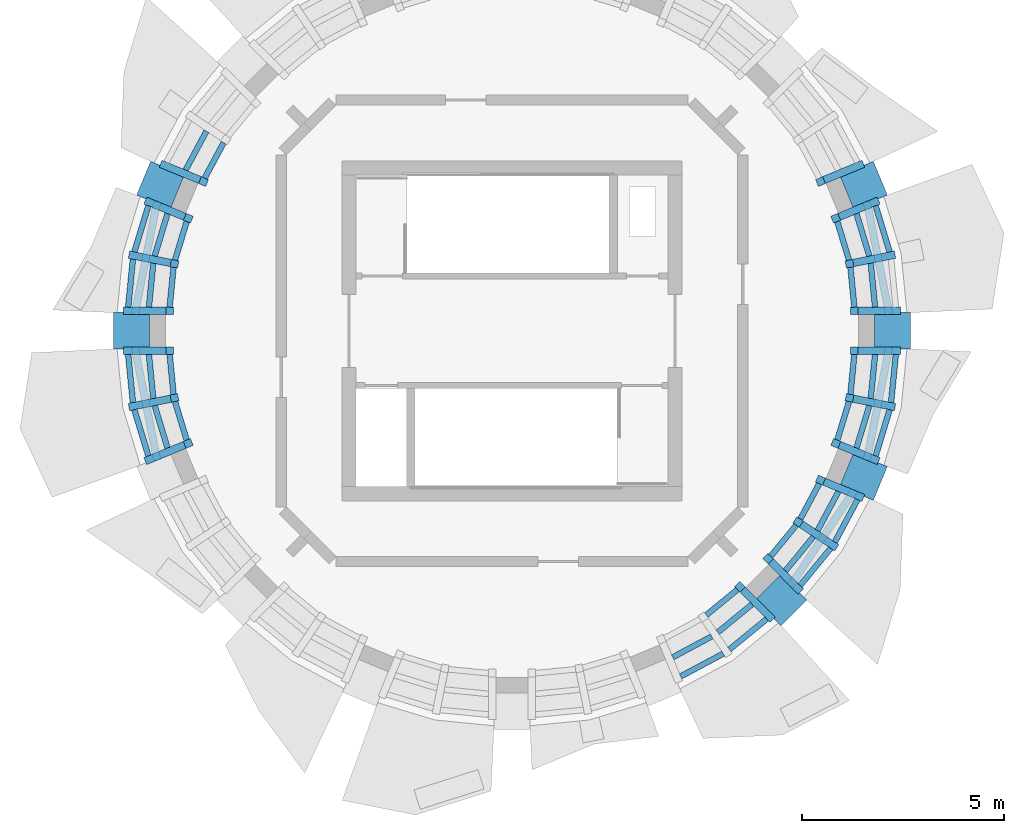
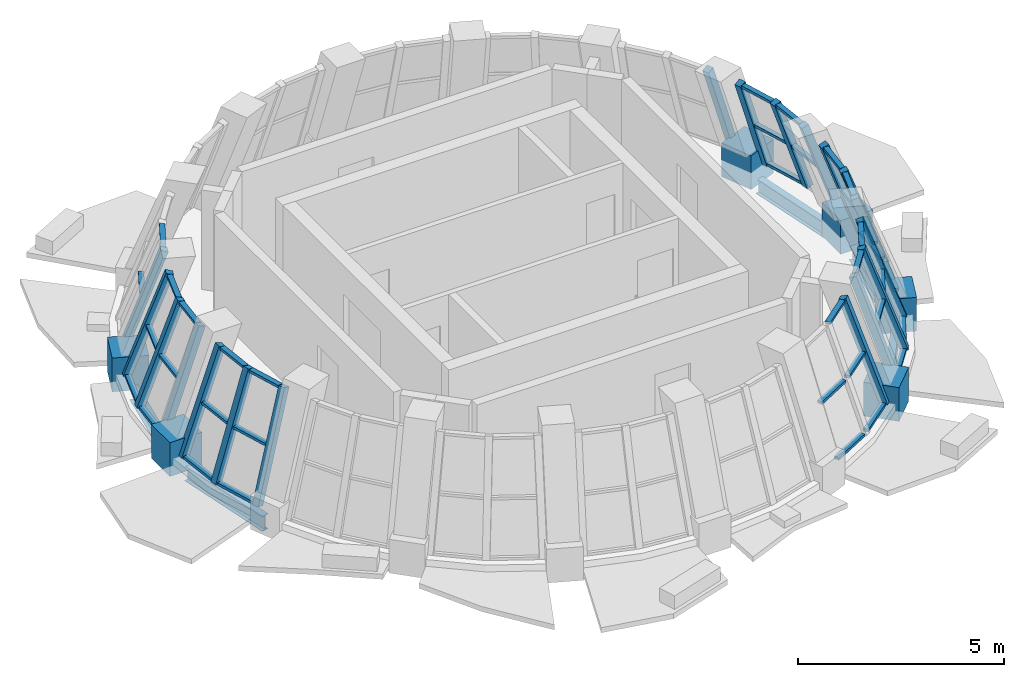
# One storey, part 2 of 8: 60 members, 5 beams, 8 elements without a shape of their own.
"""IFC4 building model written with IfcOpenShell, lengths in metres."""

from ifc_helpers import new_model, si_unit, direction, frame, origin, origin_2d, place, context, subcontext, project, spatial, rectangle, i_section, extrude, material, material_profile, profile_set, type_object, element, aggregate, save


model = new_model("IFC4")

# Units and contexts
model_context = context("Model", 3, precision=1e-05, world=origin(), true_north=direction((0.0, 1.0)))
body_context = subcontext(model_context, "Body", "Model", "MODEL_VIEW")
ifc_project = project(units=[si_unit("LENGTHUNIT", "METRE"), si_unit("AREAUNIT", "SQUARE_METRE"), si_unit("VOLUMEUNIT", "CUBIC_METRE"), si_unit("PLANEANGLEUNIT", "RADIAN"), si_unit("MASSUNIT", "GRAM", prefix="KILO")], contexts=[model_context])

# Site, building, storey
site_placement = place(None, origin())
site = spatial("IfcSite", under=ifc_project, at=site_placement, CompositionType="ELEMENT")
building_placement = place(site_placement, origin())
building = spatial("IfcBuilding", under=site, at=building_placement, Name="Polderwave Tower", CompositionType="ELEMENT")
storey_placement = place(building_placement, frame((0.0, 0.0, 244.39990234375)))
storey = spatial("IfcBuildingStorey", under=building, at=storey_placement, Name="L66", CompositionType="ELEMENT", Elevation=244.39990234375)

# Curtain wall, members
ifc_material_1 = material(Name="Aluminium 6063-T6 and glass", Category="aluminium")
curtain_wall_type = type_object("IfcCurtainWallType", Name="Crown facet glazing wall", PredefinedType="NOTDEFINED", material=ifc_material_1)
curtain_wall_1_placement = place(storey_placement, origin())
curtain_wall_1 = element("IfcCurtainWall", 1, at=curtain_wall_1_placement, inside=storey, type_object=curtain_wall_type, Name="CROWN CW6 L66 00", PredefinedType="NOTDEFINED")
ifc_material_2 = material(Name="Aluminium 6063-T6", Category="aluminium")
ifc_material_profile_1 = material_profile(ifc_material_2, rectangle(XDim=0.18505859375, YDim=0.199951171875, at=origin_2d()), Name="AL 185x200")
ifc_profile_set_1 = profile_set([ifc_material_profile_1], Name="Aluminium 6063-T6")
member_type_1 = type_object("IfcMemberType", Name="Crown facet glazing mullion 185x200", PredefinedType="MULLION", material=ifc_profile_set_1)
member_1_placement = place(storey_placement, frame((9.50390625, 0.4921875, 0.0), z_axis=(-0.335872203123, 0.0, 0.941907566149), x_axis=(0.0, -1.0, 0.0)))
member_1 = element("IfcMember", 2, at=member_1_placement, type_object=member_type_1, Name="CW6 mullion 1", PredefinedType="MULLION", context=body_context, shape_type="SweptSolid", body=[
    extrude(rectangle(XDim=0.18505859375, YDim=0.199951171875, at=origin_2d()), origin(), (0.0, 0.0, 1.0), 3.132080078125),
])
member_2_placement = place(storey_placement, frame((9.368896484375, 1.864013671875, 0.0), z_axis=(-0.329468181575, -0.065784515081, 0.941872132991), x_axis=(0.19580382416, -0.980643086166, 0.0)))
member_2 = element("IfcMember", 3, at=member_2_placement, type_object=member_type_1, Name="CW6 mullion 2", PredefinedType="MULLION", context=body_context, shape_type="SweptSolid", body=[
    extrude(rectangle(XDim=0.18505859375, YDim=0.199951171875, at=origin_2d()), origin(), (0.0, 0.0, 1.0), 3.13232421875),
])
member_3_placement = place(storey_placement, frame((8.968994140625, 3.1826171875, 0.0), z_axis=(-0.310369835021, -0.128684228433, 0.9418656671), x_axis=(0.383000538564, -0.923748119056, 0.0)))
member_3 = element("IfcMember", 4, at=member_3_placement, type_object=member_type_1, Name="CW6 mullion 3", PredefinedType="MULLION", context=body_context, shape_type="SweptSolid", body=[
    extrude(rectangle(XDim=0.18505859375, YDim=0.199951171875, at=origin_2d()), origin(), (0.0, 0.0, 1.0), 3.13232421875),
])

# Curtain wall, member
curtain_wall_2_placement = place(storey_placement, origin())
curtain_wall_2 = element("IfcCurtainWall", 5, at=curtain_wall_2_placement, inside=storey, type_object=curtain_wall_type, Name="CROWN CW6 L66 01", PredefinedType="NOTDEFINED")
member_4_placement = place(storey_placement, frame((8.59228515625, 4.091552734375, 0.0), z_axis=(-0.310299397487, -0.128687341183, 0.941888449944), x_axis=(0.383082628579, -0.923714078966, 0.0)))
member_4 = element("IfcMember", 6, at=member_4_placement, type_object=member_type_1, Name="CW6 mullion 1", PredefinedType="MULLION", context=body_context, shape_type="SweptSolid", body=[
    extrude(rectangle(XDim=0.18505859375, YDim=0.199951171875, at=origin_2d()), origin(), (0.0, 0.0, 1.0), 3.13232421875),
])
aggregate(curtain_wall_2, [member_4])

curtain_wall_3_placement = place(storey_placement, origin())
curtain_wall_3 = element("IfcCurtainWall", 7, at=curtain_wall_3_placement, inside=storey, type_object=curtain_wall_type, Name="CROWN CW6 L66 06", PredefinedType="NOTDEFINED")
member_5_placement = place(storey_placement, frame((-8.59228515625, 4.091552734375, 0.0), z_axis=(0.310299397487, -0.128687341183, 0.941888449944), x_axis=(0.383082628579, 0.923714078966, 0.0)))
member_5 = element("IfcMember", 8, at=member_5_placement, type_object=member_type_1, Name="CW6 mullion 3", PredefinedType="MULLION", context=body_context, shape_type="SweptSolid", body=[
    extrude(rectangle(XDim=0.18505859375, YDim=0.199951171875, at=origin_2d()), origin(), (0.0, 0.0, 1.0), 3.13232421875),
])

# Curtain wall, members
curtain_wall_4_placement = place(storey_placement, origin())
curtain_wall_4 = element("IfcCurtainWall", 9, at=curtain_wall_4_placement, inside=storey, type_object=curtain_wall_type, Name="CROWN CW6 L66 07", PredefinedType="NOTDEFINED")
member_6_placement = place(storey_placement, frame((-8.968994140625, 3.1826171875, 0.0), z_axis=(0.310369835021, -0.128684228433, 0.9418656671), x_axis=(0.383000538564, 0.923748119056, 0.0)))
member_6 = element("IfcMember", 10, at=member_6_placement, type_object=member_type_1, Name="CW6 mullion 1", PredefinedType="MULLION", context=body_context, shape_type="SweptSolid", body=[
    extrude(rectangle(XDim=0.18505859375, YDim=0.199951171875, at=origin_2d()), origin(), (0.0, 0.0, 1.0), 3.13232421875),
])
member_7_placement = place(storey_placement, frame((-9.368896484375, 1.864013671875, 0.0), z_axis=(0.329468181575, -0.065784515081, 0.941872132991), x_axis=(0.19580382416, 0.980643086166, 0.0)))
member_7 = element("IfcMember", 11, at=member_7_placement, type_object=member_type_1, Name="CW6 mullion 2", PredefinedType="MULLION", context=body_context, shape_type="SweptSolid", body=[
    extrude(rectangle(XDim=0.18505859375, YDim=0.199951171875, at=origin_2d()), origin(), (0.0, 0.0, 1.0), 3.13232421875),
])
member_8_placement = place(storey_placement, frame((-9.50390625, 0.4921875, 0.0), z_axis=(0.335872203123, 0.0, 0.941907566149), x_axis=(0.0, 1.0, 0.0)))
member_8 = element("IfcMember", 12, at=member_8_placement, type_object=member_type_1, Name="CW6 mullion 3", PredefinedType="MULLION", context=body_context, shape_type="SweptSolid", body=[
    extrude(rectangle(XDim=0.18505859375, YDim=0.199951171875, at=origin_2d()), origin(), (0.0, 0.0, 1.0), 3.132080078125),
])

curtain_wall_5_placement = place(storey_placement, origin())
curtain_wall_5 = element("IfcCurtainWall", 13, at=curtain_wall_5_placement, inside=storey, type_object=curtain_wall_type, Name="CROWN CW6 L66 08", PredefinedType="NOTDEFINED")
member_9_placement = place(storey_placement, frame((-9.50390625, -0.4921875, 0.0), z_axis=(0.335872203123, 0.0, 0.941907566149), x_axis=(0.0, 1.0, 0.0)))
member_9 = element("IfcMember", 14, at=member_9_placement, type_object=member_type_1, Name="CW6 mullion 1", PredefinedType="MULLION", context=body_context, shape_type="SweptSolid", body=[
    extrude(rectangle(XDim=0.18505859375, YDim=0.199951171875, at=origin_2d()), origin(), (0.0, 0.0, 1.0), 3.132080078125),
])
member_10_placement = place(storey_placement, frame((-9.368896484375, -1.864013671875, 0.0), z_axis=(0.329468181575, 0.065784515081, 0.941872132991), x_axis=(-0.19580382416, 0.980643086166, 0.0)))
member_10 = element("IfcMember", 15, at=member_10_placement, type_object=member_type_1, Name="CW6 mullion 2", PredefinedType="MULLION", context=body_context, shape_type="SweptSolid", body=[
    extrude(rectangle(XDim=0.18505859375, YDim=0.199951171875, at=origin_2d()), origin(), (0.0, 0.0, 1.0), 3.13232421875),
])
member_11_placement = place(storey_placement, frame((-8.968994140625, -3.1826171875, 0.0), z_axis=(0.310369835021, 0.128684228433, 0.9418656671), x_axis=(-0.383000538564, 0.923748119056, 0.0)))
member_11 = element("IfcMember", 16, at=member_11_placement, type_object=member_type_1, Name="CW6 mullion 3", PredefinedType="MULLION", context=body_context, shape_type="SweptSolid", body=[
    extrude(rectangle(XDim=0.18505859375, YDim=0.199951171875, at=origin_2d()), origin(), (0.0, 0.0, 1.0), 3.13232421875),
])

# Curtain wall, member
curtain_wall_6_placement = place(storey_placement, origin())
curtain_wall_6 = element("IfcCurtainWall", 17, at=curtain_wall_6_placement, inside=storey, type_object=curtain_wall_type, Name="CROWN CW6 L66 13", PredefinedType="NOTDEFINED")
member_12_placement = place(storey_placement, frame((6.37255859375, -7.067626953125, 0.0), z_axis=(-0.237576376564, 0.237498431558, 0.941887445668), x_axis=(-0.706990757433, -0.707222785906, 0.0)))
member_12 = element("IfcMember", 18, at=member_12_placement, type_object=member_type_1, Name="CW6 mullion 3", PredefinedType="MULLION", context=body_context, shape_type="SweptSolid", body=[
    extrude(rectangle(XDim=0.18505859375, YDim=0.199951171875, at=origin_2d()), origin(), (0.0, 0.0, 1.0), 3.13232421875),
])

# Curtain wall, members
curtain_wall_7_placement = place(storey_placement, origin())
curtain_wall_7 = element("IfcCurtainWall", 19, at=curtain_wall_7_placement, inside=storey, type_object=curtain_wall_type, Name="CROWN CW6 L66 14", PredefinedType="NOTDEFINED")
member_13_placement = place(storey_placement, frame((7.067626953125, -6.37255859375, 0.0), z_axis=(-0.237498431558, 0.237576376564, 0.941887445668), x_axis=(-0.707222785906, -0.706990757433, 0.0)))
member_13 = element("IfcMember", 20, at=member_13_placement, type_object=member_type_1, Name="CW6 mullion 1", PredefinedType="MULLION", context=body_context, shape_type="SweptSolid", body=[
    extrude(rectangle(XDim=0.18505859375, YDim=0.199951171875, at=origin_2d()), origin(), (0.0, 0.0, 1.0), 3.13232421875),
])
member_14_placement = place(storey_placement, frame((7.94189453125, -5.306884765625, 0.0), z_axis=(-0.279345260731, 0.186749789261, 0.941854947175), x_axis=(-0.555770310415, -0.831335890036, 0.0)))
member_14 = element("IfcMember", 21, at=member_14_placement, type_object=member_type_1, Name="CW6 mullion 2", PredefinedType="MULLION", context=body_context, shape_type="SweptSolid", body=[
    extrude(rectangle(XDim=0.18505859375, YDim=0.199951171875, at=origin_2d()), origin(), (0.0, 0.0, 1.0), 3.13232421875),
])
member_15_placement = place(storey_placement, frame((8.59228515625, -4.091552734375, 0.0), z_axis=(-0.310299397487, 0.128687341183, 0.941888449944), x_axis=(-0.383082628579, -0.923714078966, 0.0)))
member_15 = element("IfcMember", 22, at=member_15_placement, type_object=member_type_1, Name="CW6 mullion 3", PredefinedType="MULLION", context=body_context, shape_type="SweptSolid", body=[
    extrude(rectangle(XDim=0.18505859375, YDim=0.199951171875, at=origin_2d()), origin(), (0.0, 0.0, 1.0), 3.13232421875),
])

curtain_wall_8_placement = place(storey_placement, origin())
curtain_wall_8 = element("IfcCurtainWall", 23, at=curtain_wall_8_placement, inside=storey, type_object=curtain_wall_type, Name="CROWN CW6 L66 15", PredefinedType="NOTDEFINED")
member_16_placement = place(storey_placement, frame((8.968994140625, -3.1826171875, 0.0), z_axis=(-0.310369835021, 0.128684228433, 0.9418656671), x_axis=(-0.383000538564, -0.923748119056, 0.0)))
member_16 = element("IfcMember", 24, at=member_16_placement, type_object=member_type_1, Name="CW6 mullion 1", PredefinedType="MULLION", context=body_context, shape_type="SweptSolid", body=[
    extrude(rectangle(XDim=0.18505859375, YDim=0.199951171875, at=origin_2d()), origin(), (0.0, 0.0, 1.0), 3.13232421875),
])
member_17_placement = place(storey_placement, frame((9.368896484375, -1.864013671875, 0.0), z_axis=(-0.329468181575, 0.065784515081, 0.941872132991), x_axis=(-0.19580382416, -0.980643086166, 0.0)))
member_17 = element("IfcMember", 25, at=member_17_placement, type_object=member_type_1, Name="CW6 mullion 2", PredefinedType="MULLION", context=body_context, shape_type="SweptSolid", body=[
    extrude(rectangle(XDim=0.18505859375, YDim=0.199951171875, at=origin_2d()), origin(), (0.0, 0.0, 1.0), 3.13232421875),
])
member_18_placement = place(storey_placement, frame((9.50390625, -0.4921875, 0.0), z_axis=(-0.335872203123, 0.0, 0.941907566149), x_axis=(0.0, -1.0, 0.0)))
member_18 = element("IfcMember", 26, at=member_18_placement, type_object=member_type_1, Name="CW6 mullion 3", PredefinedType="MULLION", context=body_context, shape_type="SweptSolid", body=[
    extrude(rectangle(XDim=0.18505859375, YDim=0.199951171875, at=origin_2d()), origin(), (0.0, 0.0, 1.0), 3.132080078125),
])

# Member
ifc_material_profile_2 = material_profile(ifc_material_2, rectangle(XDim=0.139892578125, YDim=0.080078125, at=origin_2d()), Name="AL 80x140")
ifc_profile_set_2 = profile_set([ifc_material_profile_2], Name="Aluminium 6063-T6")
member_type_2 = type_object("IfcMemberType", Name="Crown facet glazing transom 80x140", PredefinedType="USERDEFINED", material=ifc_profile_set_2)
member_19_placement = place(storey_placement, frame((8.968994140625, 0.583984375, 1.47509765625), z_axis=(-0.098084608182, 0.99517807936, 0.0), x_axis=(-0.99517807936, -0.098084608182, 0.0)))
member_19 = element("IfcMember", 27, at=member_19_placement, type_object=member_type_2, Name="CW6 transom 2", ObjectType="TRANSOM", PredefinedType="USERDEFINED", context=body_context, shape_type="SweptSolid", body=[
    extrude(rectangle(XDim=0.139892578125, YDim=0.080078125, at=origin_2d()), origin(), (0.0, 0.0, 1.0), 1.09033203125),
])

member_20_placement = place(storey_placement, frame((8.45703125, 0.583984375, 2.91015625), z_axis=(-0.097964393353, 0.995189920385, 0.0), x_axis=(-0.995189920385, -0.097964393353, 0.0)))
member_20 = element("IfcMember", 28, at=member_20_placement, type_object=member_type_2, Name="CW6 transom 3", ObjectType="TRANSOM", PredefinedType="USERDEFINED", context=body_context, shape_type="SweptSolid", body=[
    extrude(rectangle(XDim=0.139892578125, YDim=0.080078125, at=origin_2d()), origin(), (0.0, 0.0, 1.0), 0.9892578125),
])

member_21_placement = place(storey_placement, frame((9.328125, 1.94970703125, 0.0400390625), z_axis=(-0.29050843921, 0.956872429715, 0.0), x_axis=(-0.956872429715, -0.29050843921, 0.0)))
member_21 = element("IfcMember", 29, at=member_21_placement, type_object=member_type_2, Name="CW6 transom 4", ObjectType="TRANSOM", PredefinedType="USERDEFINED", context=body_context, shape_type="SweptSolid", body=[
    extrude(rectangle(XDim=0.139892578125, YDim=0.080078125, at=origin_2d()), origin(), (0.0, 0.0, 1.0), 1.18994140625),
])

member_22_placement = place(storey_placement, frame((8.826171875, 1.849609375, 1.47509765625), z_axis=(-0.290305798508, 0.956933928415, 0.0), x_axis=(-0.956933928415, -0.290305798508, 0.0)))
member_22 = element("IfcMember", 30, at=member_22_placement, type_object=member_type_2, Name="CW6 transom 5", ObjectType="TRANSOM", PredefinedType="USERDEFINED", context=body_context, shape_type="SweptSolid", body=[
    extrude(rectangle(XDim=0.139892578125, YDim=0.080078125, at=origin_2d()), origin(), (0.0, 0.0, 1.0), 1.08984375),
])

member_23_placement = place(storey_placement, frame((8.32421875, 1.749267578125, 2.91015625), z_axis=(-0.290356562479, 0.956918526639, 0.0), x_axis=(-0.956918526639, -0.290356562479, 0.0)))
member_23 = element("IfcMember", 31, at=member_23_placement, type_object=member_type_2, Name="CW6 transom 6", ObjectType="TRANSOM", PredefinedType="USERDEFINED", context=body_context, shape_type="SweptSolid", body=[
    extrude(rectangle(XDim=0.139892578125, YDim=0.080078125, at=origin_2d()), origin(), (0.0, 0.0, 1.0), 0.98974609375),
])

aggregate(curtain_wall_1, [member_1, member_2, member_3, member_19, member_20, member_21, member_22, member_23])

member_24_placement = place(storey_placement, frame((-7.548095703125, 4.932861328125, 1.47509765625), z_axis=(-0.472028770132, -0.881583144217, 0.0), x_axis=(0.881583144217, -0.472028770132, 0.0)))
member_24 = element("IfcMember", 32, at=member_24_placement, type_object=member_type_2, Name="CW6 transom 5", ObjectType="TRANSOM", PredefinedType="USERDEFINED", context=body_context, shape_type="SweptSolid", body=[
    extrude(rectangle(XDim=0.139892578125, YDim=0.080078125, at=origin_2d()), origin(), (0.0, 0.0, 1.0), 1.09033203125),
])

member_25_placement = place(storey_placement, frame((-7.12255859375, 4.6484375, 2.91015625), z_axis=(-0.471995569536, -0.88160092011, 0.0), x_axis=(0.88160092011, -0.471995569536, 0.0)))
member_25 = element("IfcMember", 33, at=member_25_placement, type_object=member_type_2, Name="CW6 transom 6", ObjectType="TRANSOM", PredefinedType="USERDEFINED", context=body_context, shape_type="SweptSolid", body=[
    extrude(rectangle(XDim=0.139892578125, YDim=0.080078125, at=origin_2d()), origin(), (0.0, 0.0, 1.0), 0.989990234375),
])

aggregate(curtain_wall_3, [member_5, member_24, member_25])

member_26_placement = place(storey_placement, frame((-8.982421875, 3.08837890625, 0.0400390625), z_axis=(-0.29050843921, -0.956872429715, 0.0), x_axis=(0.956872429715, -0.29050843921, 0.0)))
member_26 = element("IfcMember", 34, at=member_26_placement, type_object=member_type_2, Name="CW6 transom 1", ObjectType="TRANSOM", PredefinedType="USERDEFINED", context=body_context, shape_type="SweptSolid", body=[
    extrude(rectangle(XDim=0.139892578125, YDim=0.080078125, at=origin_2d()), origin(), (0.0, 0.0, 1.0), 1.18994140625),
])

member_27_placement = place(storey_placement, frame((-8.509765625, 2.892578125, 1.47509765625), z_axis=(-0.290305798508, -0.956933928415, 0.0), x_axis=(0.956933928415, -0.290305798508, 0.0)))
member_27 = element("IfcMember", 35, at=member_27_placement, type_object=member_type_2, Name="CW6 transom 2", ObjectType="TRANSOM", PredefinedType="USERDEFINED", context=body_context, shape_type="SweptSolid", body=[
    extrude(rectangle(XDim=0.139892578125, YDim=0.080078125, at=origin_2d()), origin(), (0.0, 0.0, 1.0), 1.08984375),
])

member_28_placement = place(storey_placement, frame((-8.036865234375, 2.6962890625, 2.91015625), z_axis=(-0.290356562479, -0.956918526639, 0.0), x_axis=(0.956918526639, -0.290356562479, 0.0)))
member_28 = element("IfcMember", 36, at=member_28_placement, type_object=member_type_2, Name="CW6 transom 3", ObjectType="TRANSOM", PredefinedType="USERDEFINED", context=body_context, shape_type="SweptSolid", body=[
    extrude(rectangle(XDim=0.139892578125, YDim=0.080078125, at=origin_2d()), origin(), (0.0, 0.0, 1.0), 0.98974609375),
])

member_29_placement = place(storey_placement, frame((-9.364013671875, 1.769287109375, 0.0400390625), z_axis=(-0.097981458068, -0.995188240422, 0.0), x_axis=(0.995188240422, -0.097981458068, 0.0)))
member_29 = element("IfcMember", 37, at=member_29_placement, type_object=member_type_2, Name="CW6 transom 4", ObjectType="TRANSOM", PredefinedType="USERDEFINED", context=body_context, shape_type="SweptSolid", body=[
    extrude(rectangle(XDim=0.139892578125, YDim=0.080078125, at=origin_2d()), origin(), (0.0, 0.0, 1.0), 1.19091796875),
])

member_30_placement = place(storey_placement, frame((-8.862060546875, 1.6689453125, 1.47509765625), z_axis=(-0.098084608182, -0.99517807936, 0.0), x_axis=(0.99517807936, -0.098084608182, 0.0)))
member_30 = element("IfcMember", 38, at=member_30_placement, type_object=member_type_2, Name="CW6 transom 5", ObjectType="TRANSOM", PredefinedType="USERDEFINED", context=body_context, shape_type="SweptSolid", body=[
    extrude(rectangle(XDim=0.139892578125, YDim=0.080078125, at=origin_2d()), origin(), (0.0, 0.0, 1.0), 1.09033203125),
])

member_31_placement = place(storey_placement, frame((-8.360107421875, 1.568603515625, 2.91015625), z_axis=(-0.097964393353, -0.995189920385, 0.0), x_axis=(0.995189920385, -0.097964393353, 0.0)))
member_31 = element("IfcMember", 39, at=member_31_placement, type_object=member_type_2, Name="CW6 transom 6", ObjectType="TRANSOM", PredefinedType="USERDEFINED", context=body_context, shape_type="SweptSolid", body=[
    extrude(rectangle(XDim=0.139892578125, YDim=0.080078125, at=origin_2d()), origin(), (0.0, 0.0, 1.0), 0.9892578125),
])

aggregate(curtain_wall_4, [member_6, member_7, member_8, member_26, member_27, member_28, member_29, member_30, member_31])

member_32_placement = place(storey_placement, frame((-9.480712890625, -0.583984375, 0.0400390625), z_axis=(0.097981458068, -0.995188240422, 0.0), x_axis=(0.995188240422, 0.097981458068, 0.0)))
member_32 = element("IfcMember", 40, at=member_32_placement, type_object=member_type_2, Name="CW6 transom 1", ObjectType="TRANSOM", PredefinedType="USERDEFINED", context=body_context, shape_type="SweptSolid", body=[
    extrude(rectangle(XDim=0.139892578125, YDim=0.080078125, at=origin_2d()), origin(), (0.0, 0.0, 1.0), 1.19091796875),
])

member_33_placement = place(storey_placement, frame((-8.968994140625, -0.583984375, 1.47509765625), z_axis=(0.098084608182, -0.99517807936, 0.0), x_axis=(0.99517807936, 0.098084608182, 0.0)))
member_33 = element("IfcMember", 41, at=member_33_placement, type_object=member_type_2, Name="CW6 transom 2", ObjectType="TRANSOM", PredefinedType="USERDEFINED", context=body_context, shape_type="SweptSolid", body=[
    extrude(rectangle(XDim=0.139892578125, YDim=0.080078125, at=origin_2d()), origin(), (0.0, 0.0, 1.0), 1.09033203125),
])

member_34_placement = place(storey_placement, frame((-8.45703125, -0.583984375, 2.91015625), z_axis=(0.097964393353, -0.995189920385, 0.0), x_axis=(0.995189920385, 0.097964393353, 0.0)))
member_34 = element("IfcMember", 42, at=member_34_placement, type_object=member_type_2, Name="CW6 transom 3", ObjectType="TRANSOM", PredefinedType="USERDEFINED", context=body_context, shape_type="SweptSolid", body=[
    extrude(rectangle(XDim=0.139892578125, YDim=0.080078125, at=origin_2d()), origin(), (0.0, 0.0, 1.0), 0.9892578125),
])

member_35_placement = place(storey_placement, frame((-9.328125, -1.94970703125, 0.0400390625), z_axis=(0.29050843921, -0.956872429715, 0.0), x_axis=(0.956872429715, 0.29050843921, 0.0)))
member_35 = element("IfcMember", 43, at=member_35_placement, type_object=member_type_2, Name="CW6 transom 4", ObjectType="TRANSOM", PredefinedType="USERDEFINED", context=body_context, shape_type="SweptSolid", body=[
    extrude(rectangle(XDim=0.139892578125, YDim=0.080078125, at=origin_2d()), origin(), (0.0, 0.0, 1.0), 1.18994140625),
])

member_36_placement = place(storey_placement, frame((-8.826171875, -1.849609375, 1.47509765625), z_axis=(0.290305798508, -0.956933928415, 0.0), x_axis=(0.956933928415, 0.290305798508, 0.0)))
member_36 = element("IfcMember", 44, at=member_36_placement, type_object=member_type_2, Name="CW6 transom 5", ObjectType="TRANSOM", PredefinedType="USERDEFINED", context=body_context, shape_type="SweptSolid", body=[
    extrude(rectangle(XDim=0.139892578125, YDim=0.080078125, at=origin_2d()), origin(), (0.0, 0.0, 1.0), 1.08984375),
])

member_37_placement = place(storey_placement, frame((-8.32421875, -1.749267578125, 2.91015625), z_axis=(0.290356562479, -0.956918526639, 0.0), x_axis=(0.956918526639, 0.290356562479, 0.0)))
member_37 = element("IfcMember", 45, at=member_37_placement, type_object=member_type_2, Name="CW6 transom 6", ObjectType="TRANSOM", PredefinedType="USERDEFINED", context=body_context, shape_type="SweptSolid", body=[
    extrude(rectangle(XDim=0.139892578125, YDim=0.080078125, at=origin_2d()), origin(), (0.0, 0.0, 1.0), 0.98974609375),
])

aggregate(curtain_wall_5, [member_9, member_10, member_11, member_32, member_33, member_34, member_35, member_36, member_37])

member_38_placement = place(storey_placement, frame((4.167724609375, -8.535400390625, 0.0400390625), z_axis=(0.881784641935, 0.471652250337, 0.0), x_axis=(-0.471652250337, 0.881784641935, 0.0)))
member_38 = element("IfcMember", 46, at=member_38_placement, type_object=member_type_2, Name="CW6 transom 1", ObjectType="TRANSOM", PredefinedType="USERDEFINED", context=body_context, shape_type="SweptSolid", body=[
    extrude(rectangle(XDim=0.139892578125, YDim=0.080078125, at=origin_2d()), origin(), (0.0, 0.0, 1.0), 1.1904296875),
])

member_39_placement = place(storey_placement, frame((3.9716796875, -8.062744140625, 1.47509765625), z_axis=(0.881583144217, 0.472028770132, 0.0), x_axis=(-0.472028770132, 0.881583144217, 0.0)))
member_39 = element("IfcMember", 47, at=member_39_placement, type_object=member_type_2, Name="CW6 transom 2", ObjectType="TRANSOM", PredefinedType="USERDEFINED", context=body_context, shape_type="SweptSolid", body=[
    extrude(rectangle(XDim=0.139892578125, YDim=0.080078125, at=origin_2d()), origin(), (0.0, 0.0, 1.0), 1.09033203125),
])

member_40_placement = place(storey_placement, frame((5.37060546875, -7.87158203125, 0.0400390625), z_axis=(0.773006334928, 0.634398302458, 0.0), x_axis=(-0.634398302458, 0.773006334928, 0.0)))
member_40 = element("IfcMember", 48, at=member_40_placement, type_object=member_type_2, Name="CW6 transom 4", ObjectType="TRANSOM", PredefinedType="USERDEFINED", context=body_context, shape_type="SweptSolid", body=[
    extrude(rectangle(XDim=0.139892578125, YDim=0.080078125, at=origin_2d()), origin(), (0.0, 0.0, 1.0), 1.190673828125),
])

member_41_placement = place(storey_placement, frame((5.0859375, -7.44580078125, 1.47509765625), z_axis=(0.773208499021, 0.63415188799, 0.0), x_axis=(-0.63415188799, 0.773208499021, 0.0)))
member_41 = element("IfcMember", 49, at=member_41_placement, type_object=member_type_2, Name="CW6 transom 5", ObjectType="TRANSOM", PredefinedType="USERDEFINED", context=body_context, shape_type="SweptSolid", body=[
    extrude(rectangle(XDim=0.139892578125, YDim=0.080078125, at=origin_2d()), origin(), (0.0, 0.0, 1.0), 1.09033203125),
])

member_42_placement = place(storey_placement, frame((4.801513671875, -7.020263671875, 2.91015625), z_axis=(0.773209759445, 0.634150351178, 0.0), x_axis=(-0.634150351178, 0.773209759445, 0.0)))
member_42 = element("IfcMember", 50, at=member_42_placement, type_object=member_type_2, Name="CW6 transom 6", ObjectType="TRANSOM", PredefinedType="USERDEFINED", context=body_context, shape_type="SweptSolid", body=[
    extrude(rectangle(XDim=0.139892578125, YDim=0.080078125, at=origin_2d()), origin(), (0.0, 0.0, 1.0), 0.990234375),
])

aggregate(curtain_wall_6, [member_12, member_38, member_39, member_40, member_41, member_42])

member_43_placement = place(storey_placement, frame((7.1162109375, -6.291015625, 0.0400390625), z_axis=(0.634398302458, 0.773006334928, 0.0), x_axis=(-0.773006334928, 0.634398302458, 0.0)))
member_43 = element("IfcMember", 51, at=member_43_placement, type_object=member_type_2, Name="CW6 transom 1", ObjectType="TRANSOM", PredefinedType="USERDEFINED", context=body_context, shape_type="SweptSolid", body=[
    extrude(rectangle(XDim=0.139892578125, YDim=0.080078125, at=origin_2d()), origin(), (0.0, 0.0, 1.0), 1.190673828125),
])

member_44_placement = place(storey_placement, frame((6.75439453125, -5.928955078125, 1.47509765625), z_axis=(0.63415188799, 0.773208499021, 0.0), x_axis=(-0.773208499021, 0.63415188799, 0.0)))
member_44 = element("IfcMember", 52, at=member_44_placement, type_object=member_type_2, Name="CW6 transom 2", ObjectType="TRANSOM", PredefinedType="USERDEFINED", context=body_context, shape_type="SweptSolid", body=[
    extrude(rectangle(XDim=0.139892578125, YDim=0.080078125, at=origin_2d()), origin(), (0.0, 0.0, 1.0), 1.09033203125),
])

member_45_placement = place(storey_placement, frame((6.392333984375, -5.567138671875, 2.91015625), z_axis=(0.634150351178, 0.773209759445, 0.0), x_axis=(-0.773209759445, 0.634150351178, 0.0)))
member_45 = element("IfcMember", 53, at=member_45_placement, type_object=member_type_2, Name="CW6 transom 3", ObjectType="TRANSOM", PredefinedType="USERDEFINED", context=body_context, shape_type="SweptSolid", body=[
    extrude(rectangle(XDim=0.139892578125, YDim=0.080078125, at=origin_2d()), origin(), (0.0, 0.0, 1.0), 0.990234375),
])

member_46_placement = place(storey_placement, frame((7.973876953125, -5.217529296875, 0.0400390625), z_axis=(0.471652250337, 0.881784641935, 0.0), x_axis=(-0.881784641935, 0.471652250337, 0.0)))
member_46 = element("IfcMember", 54, at=member_46_placement, type_object=member_type_2, Name="CW6 transom 4", ObjectType="TRANSOM", PredefinedType="USERDEFINED", context=body_context, shape_type="SweptSolid", body=[
    extrude(rectangle(XDim=0.139892578125, YDim=0.080078125, at=origin_2d()), origin(), (0.0, 0.0, 1.0), 1.1904296875),
])

member_47_placement = place(storey_placement, frame((7.548095703125, -4.932861328125, 1.47509765625), z_axis=(0.472028770132, 0.881583144217, 0.0), x_axis=(-0.881583144217, 0.472028770132, 0.0)))
member_47 = element("IfcMember", 55, at=member_47_placement, type_object=member_type_2, Name="CW6 transom 5", ObjectType="TRANSOM", PredefinedType="USERDEFINED", context=body_context, shape_type="SweptSolid", body=[
    extrude(rectangle(XDim=0.139892578125, YDim=0.080078125, at=origin_2d()), origin(), (0.0, 0.0, 1.0), 1.09033203125),
])

member_48_placement = place(storey_placement, frame((7.12255859375, -4.6484375, 2.91015625), z_axis=(0.471995569536, 0.88160092011, 0.0), x_axis=(-0.88160092011, 0.471995569536, 0.0)))
member_48 = element("IfcMember", 56, at=member_48_placement, type_object=member_type_2, Name="CW6 transom 6", ObjectType="TRANSOM", PredefinedType="USERDEFINED", context=body_context, shape_type="SweptSolid", body=[
    extrude(rectangle(XDim=0.139892578125, YDim=0.080078125, at=origin_2d()), origin(), (0.0, 0.0, 1.0), 0.989990234375),
])

aggregate(curtain_wall_7, [member_13, member_14, member_15, member_43, member_44, member_45, member_46, member_47, member_48])

member_49_placement = place(storey_placement, frame((8.982421875, -3.08837890625, 0.0400390625), z_axis=(0.29050843921, 0.956872429715, 0.0), x_axis=(-0.956872429715, 0.29050843921, 0.0)))
member_49 = element("IfcMember", 57, at=member_49_placement, type_object=member_type_2, Name="CW6 transom 1", ObjectType="TRANSOM", PredefinedType="USERDEFINED", context=body_context, shape_type="SweptSolid", body=[
    extrude(rectangle(XDim=0.139892578125, YDim=0.080078125, at=origin_2d()), origin(), (0.0, 0.0, 1.0), 1.18994140625),
])

member_50_placement = place(storey_placement, frame((8.509765625, -2.892578125, 1.47509765625), z_axis=(0.290305798508, 0.956933928415, 0.0), x_axis=(-0.956933928415, 0.290305798508, 0.0)))
member_50 = element("IfcMember", 58, at=member_50_placement, type_object=member_type_2, Name="CW6 transom 2", ObjectType="TRANSOM", PredefinedType="USERDEFINED", context=body_context, shape_type="SweptSolid", body=[
    extrude(rectangle(XDim=0.139892578125, YDim=0.080078125, at=origin_2d()), origin(), (0.0, 0.0, 1.0), 1.08984375),
])

member_51_placement = place(storey_placement, frame((8.036865234375, -2.6962890625, 2.91015625), z_axis=(0.290356562479, 0.956918526639, 0.0), x_axis=(-0.956918526639, 0.290356562479, 0.0)))
member_51 = element("IfcMember", 59, at=member_51_placement, type_object=member_type_2, Name="CW6 transom 3", ObjectType="TRANSOM", PredefinedType="USERDEFINED", context=body_context, shape_type="SweptSolid", body=[
    extrude(rectangle(XDim=0.139892578125, YDim=0.080078125, at=origin_2d()), origin(), (0.0, 0.0, 1.0), 0.98974609375),
])

member_52_placement = place(storey_placement, frame((9.364013671875, -1.769287109375, 0.0400390625), z_axis=(0.097981458068, 0.995188240422, 0.0), x_axis=(-0.995188240422, 0.097981458068, 0.0)))
member_52 = element("IfcMember", 60, at=member_52_placement, type_object=member_type_2, Name="CW6 transom 4", ObjectType="TRANSOM", PredefinedType="USERDEFINED", context=body_context, shape_type="SweptSolid", body=[
    extrude(rectangle(XDim=0.139892578125, YDim=0.080078125, at=origin_2d()), origin(), (0.0, 0.0, 1.0), 1.19091796875),
])

member_53_placement = place(storey_placement, frame((8.862060546875, -1.6689453125, 1.47509765625), z_axis=(0.098084608182, 0.99517807936, 0.0), x_axis=(-0.99517807936, 0.098084608182, 0.0)))
member_53 = element("IfcMember", 61, at=member_53_placement, type_object=member_type_2, Name="CW6 transom 5", ObjectType="TRANSOM", PredefinedType="USERDEFINED", context=body_context, shape_type="SweptSolid", body=[
    extrude(rectangle(XDim=0.139892578125, YDim=0.080078125, at=origin_2d()), origin(), (0.0, 0.0, 1.0), 1.09033203125),
])

member_54_placement = place(storey_placement, frame((8.360107421875, -1.568603515625, 2.91015625), z_axis=(0.097964393353, 0.995189920385, 0.0), x_axis=(-0.995189920385, 0.097964393353, 0.0)))
member_54 = element("IfcMember", 62, at=member_54_placement, type_object=member_type_2, Name="CW6 transom 6", ObjectType="TRANSOM", PredefinedType="USERDEFINED", context=body_context, shape_type="SweptSolid", body=[
    extrude(rectangle(XDim=0.139892578125, YDim=0.080078125, at=origin_2d()), origin(), (0.0, 0.0, 1.0), 0.9892578125),
])

aggregate(curtain_wall_8, [member_16, member_17, member_18, member_49, member_50, member_51, member_52, member_53, member_54])

# Members
ifc_material_3 = material(Name="Concrete C60/75", Category="concrete")
ifc_material_profile_3 = material_profile(ifc_material_3, rectangle(XDim=0.89990234375, YDim=0.89990234375, at=origin_2d()), Name="RC 900x900")
ifc_profile_set_3 = profile_set([ifc_material_profile_3], Name="Concrete C60/75")
member_type_3 = type_object("IfcMemberType", Name="RC NODE 900x900 C60/75", PredefinedType="POST", material=ifc_profile_set_3)
for number, where, z_axis, x_axis, name in (
    (63, (9.399169921875, 0.0, -0.5), (0.0, 0.0, 1.0), (1.0, 0.0, 0.0), "Ring column node 01"),
    (64, (8.68359375, 3.596923828125, -0.5), (0.0, 0.0, 1.0), (0.923879532511, 0.382683432365, 0.0), "Ring column node 02"),
    (65, (-8.68359375, 3.596923828125, -0.5), (0.0, 0.0, 1.0), (-0.923879532511, 0.382683432365, 0.0), "Ring column node 08"),
    (66, (-9.399169921875, 0.0, -0.5), (0.0, 0.0, 1.0), (-1.0, 0.0, 0.0), "Ring column node 09"),
    (67, (6.646240234375, -6.646240234375, -0.5), (0.0, 0.0, 1.0), (0.707106781187, -0.707106781187, 0.0), "Ring column node 15"),
    (68, (8.68359375, -3.596923828125, -0.5), (0.0, 0.0, 1.0), (0.923879532511, -0.382683432365, 0.0), "Ring column node 16"),
):
    element("IfcMember", number, at=place(storey_placement, frame(where, z_axis=z_axis, x_axis=x_axis)), inside=storey, type_object=member_type_3, Name=name, PredefinedType="POST", context=body_context, shape_type="SweptSolid", body=[
        extrude(rectangle(XDim=0.89990234375, YDim=0.89990234375, at=origin_2d()), origin(), (0.0, 0.0, 1.0), 1.0),
    ])

# Beams
ifc_material_4 = material(Name="Steel S355", Category="steel")
ifc_material_profile_4 = material_profile(ifc_material_4, i_section(OverallWidth=0.18994140625, OverallDepth=0.449951171875, WebThickness=0.009521484375, FlangeThickness=0.0146484375, at=origin_2d()), Name="IPE 450")
ifc_profile_set_4 = profile_set([ifc_material_profile_4], Name="Steel S355")
beam_type = type_object("IfcBeamType", Name="RING BEAM IPE 450", PredefinedType="BEAM", material=ifc_profile_set_4)
for number, where, z_axis, x_axis, name in (
    (69, (9.320556640625, 0.39990234375, -0.574951171875), (-0.195161305699, 0.9807711582, 0.0), (-0.9807711582, -0.195161305699, 0.0), "ST-RB-L66-00"),
    (70, (-8.763916015625, 3.197265625, -0.574951171875), (-0.195161305699, -0.9807711582, 0.0), (0.9807711582, -0.195161305699, 0.0), "ST-RB-L66-07"),
    (71, (-9.320556640625, -0.39990234375, -0.574951171875), (0.195161305699, -0.9807711582, 0.0), (0.9807711582, 0.195161305699, 0.0), "ST-RB-L66-08"),
):
    element("IfcBeam", number, at=place(storey_placement, frame(where, z_axis=z_axis, x_axis=x_axis)), inside=storey, type_object=beam_type, Name=name, PredefinedType="BEAM", context=body_context, shape_type="SweptSolid", body=[
        extrude(i_section(OverallWidth=0.18994140625, OverallDepth=0.449951171875, WebThickness=0.009521484375, FlangeThickness=0.0146484375, at=origin_2d()), origin(), (0.0, 0.0, 1.0), 2.852294921875),
    ])
beam_1_placement = place(storey_placement, frame((6.873291015625, -6.3076171875, -0.574951171875), z_axis=(0.555628279464, 0.831430823977, 0.0), x_axis=(-0.831430823977, 0.555628279464, 0.0)))
element("IfcBeam", 72, at=beam_1_placement, inside=storey, type_object=beam_type, Name="ST-RB-L66-14", PredefinedType="BEAM", context=body_context, shape_type="SweptSolid", body=[
    extrude(i_section(OverallWidth=0.18994140625, OverallDepth=0.449951171875, WebThickness=0.009521484375, FlangeThickness=0.0146484375, at=origin_2d()), origin(), (0.0, 0.0, 1.0), 2.85205078125),
])
beam_2_placement = place(storey_placement, frame((8.763916015625, -3.197265625, -0.574951171875), z_axis=(0.195161305699, 0.9807711582, 0.0), x_axis=(-0.9807711582, 0.195161305699, 0.0)))
element("IfcBeam", 73, at=beam_2_placement, inside=storey, type_object=beam_type, Name="ST-RB-L66-15", PredefinedType="BEAM", context=body_context, shape_type="SweptSolid", body=[
    extrude(i_section(OverallWidth=0.18994140625, OverallDepth=0.449951171875, WebThickness=0.009521484375, FlangeThickness=0.0146484375, at=origin_2d()), origin(), (0.0, 0.0, 1.0), 2.852294921875),
])

save(model, "model.ifc")
